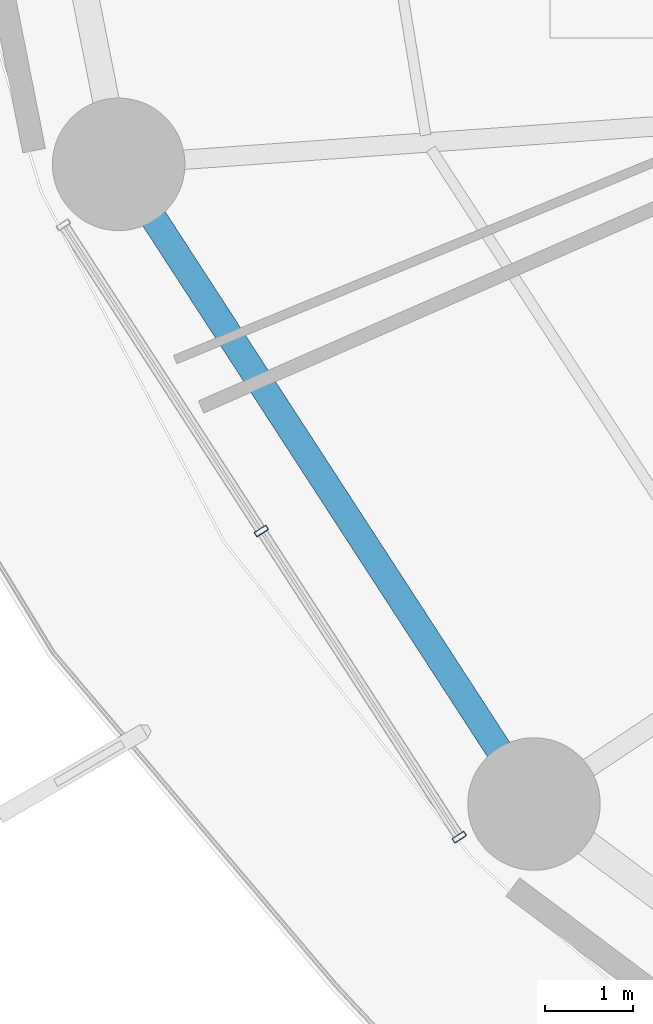
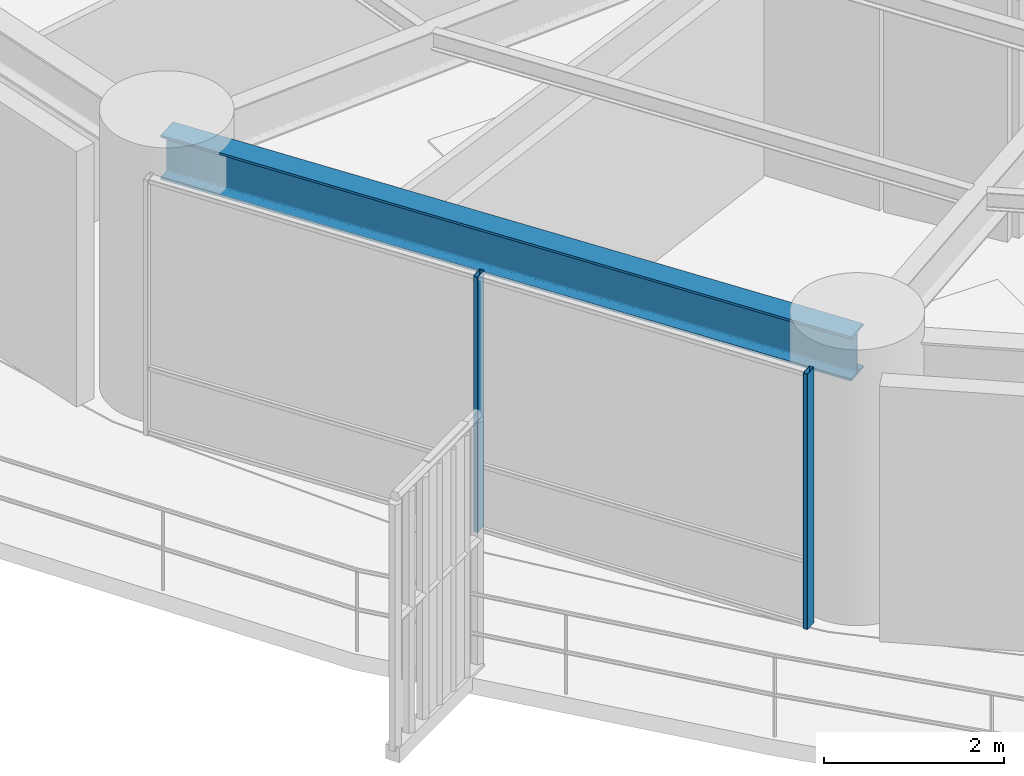
# One storey, part 2 of 33: 2 members, 1 beam, 1 element without a shape of its own.
"""IFC4 building model written with IfcOpenShell, lengths in metres."""

from ifc_helpers import new_model, si_unit, direction, frame, origin, origin_2d, place, context, subcontext, project, spatial, hollow_rectangle, i_section, extrude, material, layer, layer_set, material_profile, profile_set, type_object, element, aggregate, save


model = new_model("IFC4")

# Units and contexts
model_context = context("Model", 3, precision=1e-05, world=origin(), true_north=direction((0.0, 1.0)))
body_context = subcontext(model_context, "Body", "Model", "MODEL_VIEW")
ifc_project = project(units=[si_unit("LENGTHUNIT", "METRE"), si_unit("AREAUNIT", "SQUARE_METRE"), si_unit("VOLUMEUNIT", "CUBIC_METRE"), si_unit("PLANEANGLEUNIT", "RADIAN"), si_unit("MASSUNIT", "GRAM", prefix="KILO")], contexts=[model_context])

# Site, building, storey
site_placement = place(None, origin())
site = spatial("IfcSite", under=ifc_project, at=site_placement, CompositionType="ELEMENT")
building_placement = place(site_placement, origin())
building = spatial("IfcBuilding", under=site, at=building_placement, Name="Kelanora Arch Commons", CompositionType="ELEMENT")
storey_placement = place(building_placement, frame((0.0, 0.0, 41.25)))
storey = spatial("IfcBuildingStorey", under=building, at=storey_placement, Name="L10", CompositionType="ELEMENT", Elevation=41.25)

# Beam
ifc_material_1 = material(Name="Steel S355", Category="steel")
ifc_material_profile_1 = material_profile(ifc_material_1, i_section(OverallWidth=0.300048828125, OverallDepth=0.60009765625, WebThickness=0.015380859375, FlangeThickness=0.030029296875, FilletRadius=0.027099609375, at=origin_2d()), Name="HEB600")
ifc_profile_set_1 = profile_set([ifc_material_profile_1], Name="Steel S355")
beam_type = type_object("IfcBeamType", Name="BM-SPN-Z1", PredefinedType="SPANDREL", material=ifc_profile_set_1)
beam_placement = place(storey_placement, frame((48.552978515625, 49.76416015625, 3.18994140625), z_axis=(0.544585813928, -0.838705127722, 0.0), x_axis=(0.838705127722, 0.544585813928, 0.0)))
element("IfcBeam", 1, at=beam_placement, inside=storey, type_object=beam_type, Name="Perimeter Spandrel Beam BS-20 L10", PredefinedType="SPANDREL", context=body_context, shape_type="SweptSolid", body=[
    extrude(i_section(OverallWidth=0.300048828125, OverallDepth=0.60009765625, WebThickness=0.015380859375, FlangeThickness=0.030029296875, FilletRadius=0.027099609375, at=origin_2d()), origin(), (0.0, 0.0, 1.0), 8.63525390625),
])

# Curtain wall, members
ifc_material_2 = material(Name="Terracotta ceramic-fritted low-E glass and aluminium", Category="masonry")
ifc_layer = layer(ifc_material_2, 0.159912109375)
ifc_layer_set = layer_set([ifc_layer], Name="Terracotta ceramic-fritted low-E glass and aluminium")
curtain_wall_type = type_object("IfcCurtainWallType", Name="CW-SYS-01", PredefinedType="NOTDEFINED", material=ifc_layer_set)
curtain_wall_placement = place(storey_placement, origin())
curtain_wall = element("IfcCurtainWall", 2, at=curtain_wall_placement, inside=storey, type_object=curtain_wall_type, Name="Unitised Curtain Wall L10-B10", PredefinedType="NOTDEFINED")
ifc_material_3 = material(Name="Powder-coated aluminium terracotta", Category="masonry")
ifc_material_profile_2 = material_profile(ifc_material_3, hollow_rectangle(XDim=0.159912109375, YDim=0.06005859375, WallThickness=0.0048828125, InnerFilletRadius=0.0048828125, OuterFilletRadius=0.010009765625, at=origin_2d()), Name="CWM160x60")
ifc_profile_set_2 = profile_set([ifc_material_profile_2], Name="Powder-coated aluminium terracotta")
member_type = type_object("IfcMemberType", Name="CWM-STD", PredefinedType="MULLION", material=ifc_profile_set_2)
member_1_placement = place(storey_placement, frame((50.169189453125, 45.61328125, 0.0), z_axis=(0.0, 0.0, 1.0), x_axis=(0.83972982332, 0.543004441812, 0.0)))
member_1 = element("IfcMember", 3, at=member_1_placement, type_object=member_type, Name="CW-01 mullion 2", PredefinedType="MULLION", context=body_context, shape_type="SweptSolid", body=[
    extrude(hollow_rectangle(XDim=0.159912109375, YDim=0.06005859375, WallThickness=0.0048828125, InnerFilletRadius=0.0048828125, OuterFilletRadius=0.010009765625, at=origin_2d()), origin(), (0.0, 0.0, 1.0), 3.47509765625),
])
member_2_placement = place(storey_placement, frame((52.41064453125, 42.14697265625, 0.0), z_axis=(0.0, 0.0, 1.0), x_axis=(0.83972982332, 0.543004441812, 0.0)))
member_2 = element("IfcMember", 4, at=member_2_placement, type_object=member_type, Name="CW-01 mullion 3", PredefinedType="MULLION", context=body_context, shape_type="SweptSolid", body=[
    extrude(hollow_rectangle(XDim=0.159912109375, YDim=0.06005859375, WallThickness=0.0048828125, InnerFilletRadius=0.0048828125, OuterFilletRadius=0.010009765625, at=origin_2d()), origin(), (0.0, 0.0, 1.0), 3.47509765625),
])
aggregate(curtain_wall, [member_1, member_2])

save(model, "model.ifc")
